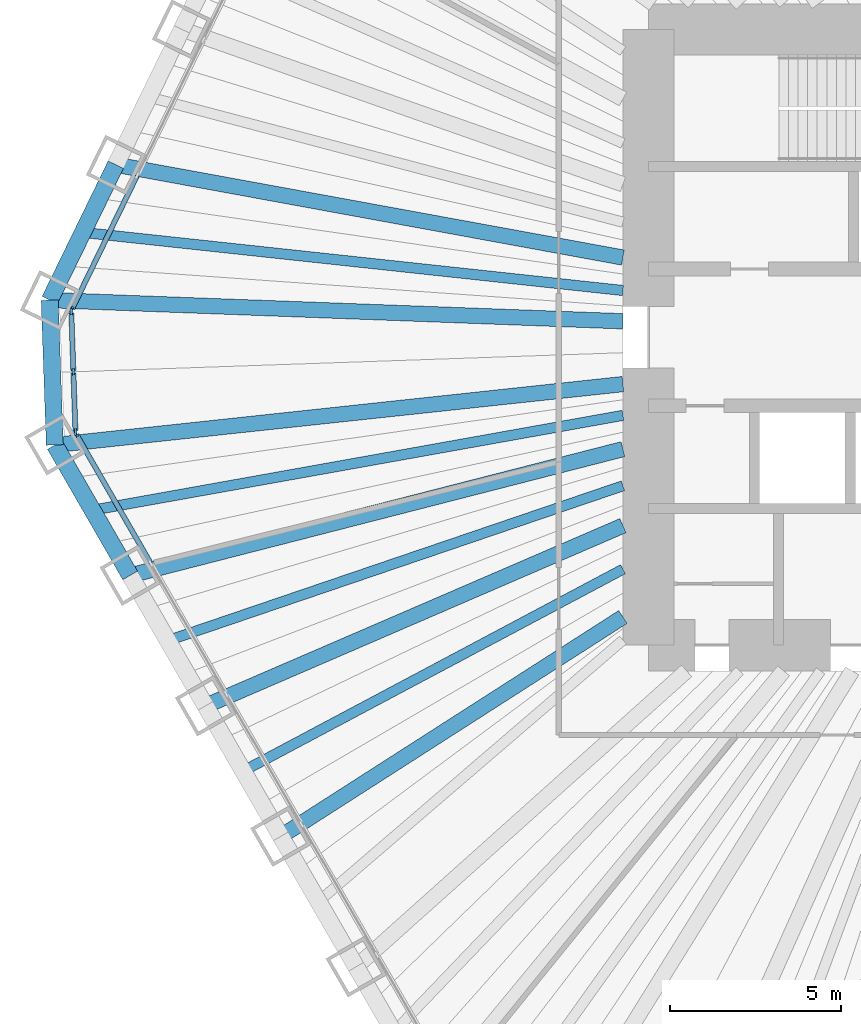
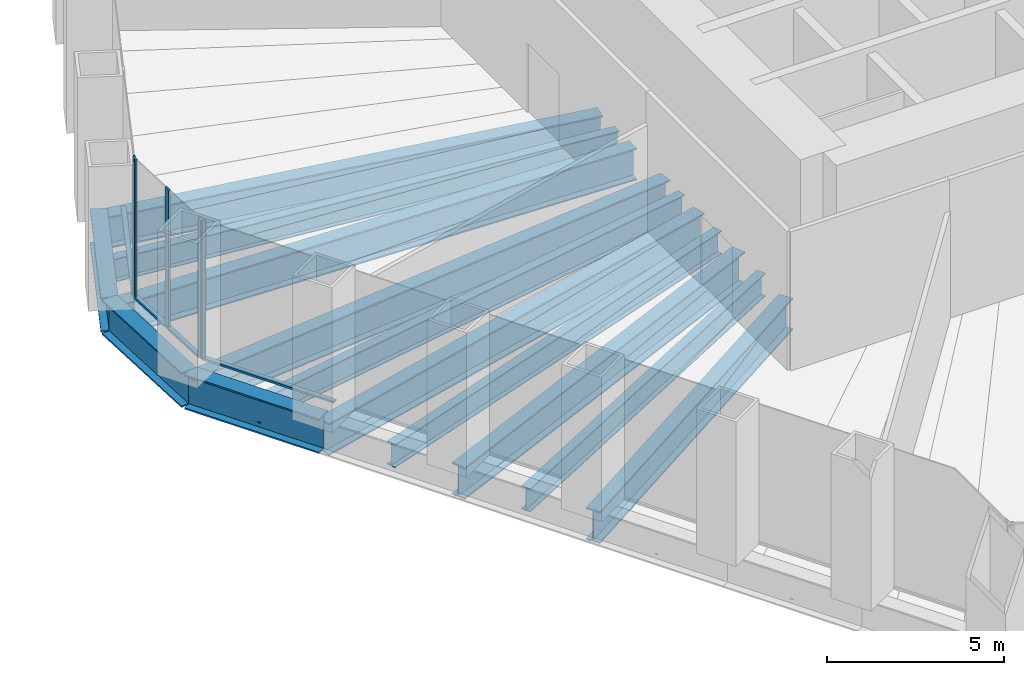
# One storey, part 3 of 13: 13 beams, 9 members, 3 elements without a shape of their own.
"""IFC4 building model written with IfcOpenShell, lengths in metres."""

from ifc_helpers import new_model, si_unit, direction, frame, origin, origin_2d, place, context, subcontext, project, spatial, rectangle, i_section, extrude, material, material_profile, profile_set, type_object, element, aggregate, save


model = new_model("IFC4")

# Units and contexts
model_context = context("Model", 3, precision=1e-05, world=origin(), true_north=direction((0.0, 1.0)))
body_context = subcontext(model_context, "Body", "Model", "MODEL_VIEW")
ifc_project = project(units=[si_unit("LENGTHUNIT", "METRE"), si_unit("AREAUNIT", "SQUARE_METRE"), si_unit("VOLUMEUNIT", "CUBIC_METRE"), si_unit("PLANEANGLEUNIT", "RADIAN"), si_unit("MASSUNIT", "GRAM", prefix="KILO")], contexts=[model_context])

# Site, building, storey
site_placement = place(None, origin())
site = spatial("IfcSite", under=ifc_project, at=site_placement, CompositionType="ELEMENT")
building_placement = place(site_placement, origin())
building = spatial("IfcBuilding", under=site, at=building_placement, Name="Qingtian Harvest Tower", CompositionType="ELEMENT")
storey_placement = place(building_placement, frame((0.0, 0.0, 77.0)))
storey = spatial("IfcBuildingStorey", under=building, at=storey_placement, Name="L15", CompositionType="ELEMENT", Elevation=77.0)

# Beams
ifc_material_1 = material(Name="Steel SM570MC", Category="steel")
ifc_material_profile_1 = material_profile(ifc_material_1, i_section(OverallWidth=0.449951171875, OverallDepth=1.10009765625, WebThickness=0.02197265625, FlangeThickness=0.044921875, at=origin_2d()), Name="H1100x450x22x45")
ifc_profile_set_1 = profile_set([ifc_material_profile_1], Name="Steel SM570MC")
beam_type_1 = type_object("IfcBeamType", Name="Corner floor beam FB8 H1100x450x22x45", PredefinedType="BEAM", material=ifc_profile_set_1)
beam_1_placement = place(storey_placement, frame((-29.36083984375, -3.145751953125, -0.75), z_axis=(0.994308822197, 0.106536219669, 0.0), x_axis=(-0.106536219669, 0.994308822197, 0.0)))
element("IfcBeam", 1, at=beam_1_placement, inside=storey, type_object=beam_type_1, Name="Floor beam FB8 SW6", PredefinedType="BEAM", context=body_context, shape_type="SweptSolid", body=[
    extrude(i_section(OverallWidth=0.449951171875, OverallDepth=1.10009765625, WebThickness=0.02197265625, FlangeThickness=0.044921875, at=origin_2d()), origin(), (0.0, 0.0, 1.0), 16.705810546875),
])
beam_2_placement = place(storey_placement, frame((-29.5087890625, 1.08984375, -0.75), z_axis=(0.999318796571, -0.036904509488, 0.0), x_axis=(0.036904509488, 0.999318796571, 0.0)))
element("IfcBeam", 2, at=beam_2_placement, inside=storey, type_object=beam_type_1, Name="Floor beam FB8 NW0", PredefinedType="BEAM", context=body_context, shape_type="SweptSolid", body=[
    extrude(i_section(OverallWidth=0.449951171875, OverallDepth=1.10009765625, WebThickness=0.02197265625, FlangeThickness=0.044921875, at=origin_2d()), origin(), (0.0, 0.0, 1.0), 16.770263671875),
])
ifc_material_2 = material(Name="Steel SM570MC", Category="steel")
ifc_material_profile_2 = material_profile(ifc_material_2, i_section(OverallWidth=0.449951171875, OverallDepth=1.10009765625, WebThickness=0.02197265625, FlangeThickness=0.044921875, at=origin_2d()), Name="H1100x450x22x45")
ifc_profile_set_2 = profile_set([ifc_material_profile_2], Name="Steel SM570MC")
beam_type_2 = type_object("IfcBeamType", Name="Floor beam FB1 H1100x450x22x45", PredefinedType="BEAM", material=ifc_profile_set_2)
beam_3_placement = place(storey_placement, frame((-22.75390625, -14.589111328125, -0.75), z_axis=(0.841829353865, 0.539743771591, 0.0), x_axis=(-0.539743771591, 0.841829353865, 0.0)))
element("IfcBeam", 3, at=beam_3_placement, inside=storey, type_object=beam_type_2, Name="Floor beam FB1 SW3", PredefinedType="BEAM", context=body_context, shape_type="SweptSolid", body=[
    extrude(i_section(OverallWidth=0.449951171875, OverallDepth=1.10009765625, WebThickness=0.02197265625, FlangeThickness=0.044921875, at=origin_2d()), origin(), (0.0, 0.0, 1.0), 11.883544921875),
])
beam_4_placement = place(storey_placement, frame((-24.9560546875, -10.774658203125, -0.75), z_axis=(0.918083617325, 0.396386770213, 0.0), x_axis=(-0.396386770213, 0.918083617325, 0.0)))
element("IfcBeam", 4, at=beam_4_placement, inside=storey, type_object=beam_type_2, Name="Floor beam FB1 SW4", PredefinedType="BEAM", context=body_context, shape_type="SweptSolid", body=[
    extrude(i_section(OverallWidth=0.449951171875, OverallDepth=1.10009765625, WebThickness=0.02197265625, FlangeThickness=0.044921875, at=origin_2d()), origin(), (0.0, 0.0, 1.0), 13.295166015625),
])
beam_5_placement = place(storey_placement, frame((-27.158447265625, -6.960205078125, -0.75), z_axis=(0.968693729942, 0.248258851947, 0.0), x_axis=(-0.248258851947, 0.968693729942, 0.0)))
element("IfcBeam", 5, at=beam_5_placement, inside=storey, type_object=beam_type_2, Name="Floor beam FB1 SW5", PredefinedType="BEAM", context=body_context, shape_type="SweptSolid", body=[
    extrude(i_section(OverallWidth=0.449951171875, OverallDepth=1.10009765625, WebThickness=0.02197265625, FlangeThickness=0.044921875, at=origin_2d()), origin(), (0.0, 0.0, 1.0), 14.8740234375),
])
beam_6_placement = place(storey_placement, frame((-27.577880859375, 5.048828125, -0.75), z_axis=(0.98365177106, -0.180081074215, 0.0), x_axis=(0.180081074215, 0.98365177106, 0.0)))
element("IfcBeam", 6, at=beam_6_placement, inside=storey, type_object=beam_type_2, Name="Floor beam FB1 NW1", PredefinedType="BEAM", context=body_context, shape_type="SweptSolid", body=[
    extrude(i_section(OverallWidth=0.449951171875, OverallDepth=1.10009765625, WebThickness=0.02197265625, FlangeThickness=0.044921875, at=origin_2d()), origin(), (0.0, 0.0, 1.0), 15.07421875),
])
ifc_material_3 = material(Name="Steel SN490B", Category="steel")
ifc_material_profile_3 = material_profile(ifc_material_3, i_section(OverallWidth=0.300048828125, OverallDepth=0.800048828125, WebThickness=0.013916015625, FlangeThickness=0.02587890625, at=origin_2d()), Name="H800x300x14x26")
ifc_profile_set_3 = profile_set([ifc_material_profile_3], Name="Steel SN490B")
beam_type_3 = type_object("IfcBeamType", Name="Floor joist J1 H800x300x14x26", PredefinedType="JOIST", material=ifc_profile_set_3)
beam_7_placement = place(storey_placement, frame((-23.85498046875, -12.681884765625, -0.60009765625), z_axis=(0.882982474604, 0.469405953885, 0.0), x_axis=(-0.469405953885, 0.882982474604, 0.0)))
element("IfcBeam", 7, at=beam_7_placement, inside=storey, type_object=beam_type_3, Name="Floor joist J1 SW3", PredefinedType="JOIST", context=body_context, shape_type="SweptSolid", body=[
    extrude(i_section(OverallWidth=0.300048828125, OverallDepth=0.800048828125, WebThickness=0.013916015625, FlangeThickness=0.02587890625, at=origin_2d()), origin(), (0.0, 0.0, 1.0), 12.57666015625),
])
beam_8_placement = place(storey_placement, frame((-26.057373046875, -8.867431640625, -0.60009765625), z_axis=(0.946684735425, 0.322161468387, 0.0), x_axis=(-0.322161468387, 0.946684735425, 0.0)))
element("IfcBeam", 8, at=beam_8_placement, inside=storey, type_object=beam_type_3, Name="Floor joist J1 SW4", PredefinedType="JOIST", context=body_context, shape_type="SweptSolid", body=[
    extrude(i_section(OverallWidth=0.300048828125, OverallDepth=0.800048828125, WebThickness=0.013916015625, FlangeThickness=0.02587890625, at=origin_2d()), origin(), (0.0, 0.0, 1.0), 14.056884765625),
])
beam_9_placement = place(storey_placement, frame((-28.259521484375, -5.052978515625, -0.60009765625), z_axis=(0.984387614034, 0.176014275943, 0.0), x_axis=(-0.176014275943, 0.984387614034, 0.0)))
element("IfcBeam", 9, at=beam_9_placement, inside=storey, type_object=beam_type_3, Name="Floor joist J1 SW5", PredefinedType="JOIST", context=body_context, shape_type="SweptSolid", body=[
    extrude(i_section(OverallWidth=0.300048828125, OverallDepth=0.800048828125, WebThickness=0.013916015625, FlangeThickness=0.02587890625, at=origin_2d()), origin(), (0.0, 0.0, 1.0), 15.755615234375),
])
beam_10_placement = place(storey_placement, frame((-28.543212890625, 3.0693359375, -0.60009765625), z_axis=(0.994268320665, -0.106913546948, 0.0), x_axis=(0.106913546948, 0.994268320665, 0.0)))
element("IfcBeam", 10, at=beam_10_placement, inside=storey, type_object=beam_type_3, Name="Floor joist J1 NW0", PredefinedType="JOIST", context=body_context, shape_type="SweptSolid", body=[
    extrude(i_section(OverallWidth=0.300048828125, OverallDepth=0.800048828125, WebThickness=0.013916015625, FlangeThickness=0.02587890625, at=origin_2d()), origin(), (0.0, 0.0, 1.0), 15.88427734375),
])

# Curtain wall, member
ifc_material_4 = material(Name="Bronze-anodised aluminium curtain wall", Category="aluminium")
curtain_wall_type = type_object("IfcCurtainWallType", Name="Curtain wall CW2 farm reception", PredefinedType="USERDEFINED", material=ifc_material_4)
curtain_wall_1_placement = place(storey_placement, origin())
curtain_wall_1 = element("IfcCurtainWall", 11, at=curtain_wall_1_placement, inside=storey, type_object=curtain_wall_type, Name="Curtain wall CW2 L15 SW0-5", ObjectType="RECESSED CURTAIN WALL", PredefinedType="USERDEFINED")
ifc_material_5 = material(Name="Bronze-anodised aluminium mullion", Category="aluminium")
ifc_material_profile_4 = material_profile(ifc_material_5, rectangle(XDim=0.06494140625, YDim=0.199951171875, at=origin_2d()), Name="AL 65x200")
ifc_profile_set_4 = profile_set([ifc_material_profile_4], Name="Bronze-anodised aluminium mullion")
member_type_1 = type_object("IfcMemberType", Name="Mullion CWM 65x200", PredefinedType="MULLION", material=ifc_profile_set_4)
member_1_placement = place(storey_placement, frame((-28.73828125, -2.82373046875, 0.0), z_axis=(0.0, 0.0, 1.0), x_axis=(-0.866025403784, -0.5, 0.0)))
member_1 = element("IfcMember", 12, at=member_1_placement, type_object=member_type_1, Name="CW2 mullion 7", PredefinedType="MULLION", context=body_context, shape_type="SweptSolid", body=[
    extrude(rectangle(XDim=0.06494140625, YDim=0.199951171875, at=origin_2d()), origin(), (0.0, 0.0, 1.0), 4.800048828125),
])

# Curtain wall, members
curtain_wall_2_placement = place(storey_placement, origin())
curtain_wall_2 = element("IfcCurtainWall", 13, at=curtain_wall_2_placement, inside=storey, type_object=curtain_wall_type, Name="Curtain wall CW2 L15 SWC", ObjectType="RECESSED CURTAIN WALL", PredefinedType="USERDEFINED")
member_2_placement = place(storey_placement, frame((-28.755615234375, -2.76318359375, 0.0), z_axis=(0.0, 0.0, 1.0), x_axis=(-0.999390827019, -0.034899496703, 0.0)))
member_2 = element("IfcMember", 14, at=member_2_placement, type_object=member_type_1, Name="CW2 mullion 1", PredefinedType="MULLION", context=body_context, shape_type="SweptSolid", body=[
    extrude(rectangle(XDim=0.06494140625, YDim=0.199951171875, at=origin_2d()), origin(), (0.0, 0.0, 1.0), 4.800048828125),
])
member_3_placement = place(storey_placement, frame((-28.817138671875, -1.00634765625, 0.0), z_axis=(0.0, 0.0, 1.0), x_axis=(-0.999390827019, -0.034899496703, 0.0)))
member_3 = element("IfcMember", 15, at=member_3_placement, type_object=member_type_1, Name="CW2 mullion 2", PredefinedType="MULLION", context=body_context, shape_type="SweptSolid", body=[
    extrude(rectangle(XDim=0.06494140625, YDim=0.199951171875, at=origin_2d()), origin(), (0.0, 0.0, 1.0), 4.800048828125),
])
member_4_placement = place(storey_placement, frame((-28.87841796875, 0.75048828125, 0.0), z_axis=(0.0, 0.0, 1.0), x_axis=(-0.999390827019, -0.034899496703, 0.0)))
member_4 = element("IfcMember", 16, at=member_4_placement, type_object=member_type_1, Name="CW2 mullion 3", PredefinedType="MULLION", context=body_context, shape_type="SweptSolid", body=[
    extrude(rectangle(XDim=0.06494140625, YDim=0.199951171875, at=origin_2d()), origin(), (0.0, 0.0, 1.0), 4.800048828125),
])

# Curtain wall, member
curtain_wall_3_placement = place(storey_placement, origin())
curtain_wall_3 = element("IfcCurtainWall", 17, at=curtain_wall_3_placement, inside=storey, type_object=curtain_wall_type, Name="Curtain wall CW2 L15 NW0-5", ObjectType="RECESSED CURTAIN WALL", PredefinedType="USERDEFINED")
member_5_placement = place(storey_placement, frame((-28.865234375, 0.812255859375, 0.0), z_axis=(0.0, 0.0, 1.0), x_axis=(-0.898794046299, 0.438371146789, 0.0)))
member_5 = element("IfcMember", 18, at=member_5_placement, type_object=member_type_1, Name="CW2 mullion 1", PredefinedType="MULLION", context=body_context, shape_type="SweptSolid", body=[
    extrude(rectangle(XDim=0.06494140625, YDim=0.199951171875, at=origin_2d()), origin(), (0.0, 0.0, 1.0), 4.800048828125),
])

# Beams
ifc_material_6 = material(Name="Steel SM570MC", Category="steel")
ifc_material_profile_5 = material_profile(ifc_material_6, i_section(OverallWidth=0.5, OverallDepth=1.199951171875, WebThickness=0.02490234375, FlangeThickness=0.050048828125, at=origin_2d()), Name="H1200x500x25x50")
ifc_profile_set_5 = profile_set([ifc_material_profile_5], Name="Steel SM570MC")
beam_type_4 = type_object("IfcBeamType", Name="Spandrel beam SB1 H1200x500x25x50", PredefinedType="SPANDREL", material=ifc_profile_set_5)
beam_11_placement = place(storey_placement, frame((-27.158447265625, -6.960205078125, -0.60009765625), z_axis=(-0.50001992892, 0.866013897511, 0.0), x_axis=(-0.866013897511, -0.50001992892, 0.0)))
element("IfcBeam", 19, at=beam_11_placement, inside=storey, type_object=beam_type_4, Name="Spandrel SB1 SW5", PredefinedType="SPANDREL", context=body_context, shape_type="SweptSolid", body=[
    extrude(i_section(OverallWidth=0.5, OverallDepth=1.199951171875, WebThickness=0.02490234375, FlangeThickness=0.050048828125, at=origin_2d()), origin(), (0.0, 0.0, 1.0), 4.404541015625),
])
beam_12_placement = place(storey_placement, frame((-29.36083984375, -3.145751953125, -0.60009765625), z_axis=(-0.034908677553, 0.999390506375, 0.0), x_axis=(-0.999390506375, -0.034908677553, 0.0)))
element("IfcBeam", 20, at=beam_12_placement, inside=storey, type_object=beam_type_4, Name="Spandrel SB1 SWC", PredefinedType="SPANDREL", context=body_context, shape_type="SweptSolid", body=[
    extrude(i_section(OverallWidth=0.5, OverallDepth=1.199951171875, WebThickness=0.02490234375, FlangeThickness=0.050048828125, at=origin_2d()), origin(), (0.0, 0.0, 1.0), 4.23828125),
])
beam_13_placement = place(storey_placement, frame((-29.5087890625, 1.08984375, -0.60009765625), z_axis=(0.438367938366, 0.898795611145, 0.0), x_axis=(-0.898795611145, 0.438367938366, 0.0)))
element("IfcBeam", 21, at=beam_13_placement, inside=storey, type_object=beam_type_4, Name="Spandrel SB1 NW0", PredefinedType="SPANDREL", context=body_context, shape_type="SweptSolid", body=[
    extrude(i_section(OverallWidth=0.5, OverallDepth=1.199951171875, WebThickness=0.02490234375, FlangeThickness=0.050048828125, at=origin_2d()), origin(), (0.0, 0.0, 1.0), 4.40478515625),
])

# Member
ifc_material_7 = material(Name="Bronze-anodised aluminium transom", Category="aluminium")
ifc_material_profile_6 = material_profile(ifc_material_7, rectangle(XDim=0.14990234375, YDim=0.06494140625, at=origin_2d()), Name="AL 65x150")
ifc_profile_set_6 = profile_set([ifc_material_profile_6], Name="Bronze-anodised aluminium transom")
member_type_2 = type_object("IfcMemberType", Name="Transom CWT 65x150", PredefinedType="USERDEFINED", material=ifc_profile_set_6)
member_6_placement = place(storey_placement, frame((-26.568603515625, -6.58203125, 0.032470703125), z_axis=(-0.499967798808, 0.866043994353, 0.0), x_axis=(-0.866043994353, -0.499967798808, 0.0)))
member_6 = element("IfcMember", 22, at=member_6_placement, type_object=member_type_2, Name="CW2 transom 6.1", ObjectType="TRANSOM", PredefinedType="USERDEFINED", context=body_context, shape_type="SweptSolid", body=[
    extrude(rectangle(XDim=0.14990234375, YDim=0.06494140625, at=origin_2d()), origin(), (0.0, 0.0, 1.0), 4.306884765625),
])

aggregate(curtain_wall_1, [member_1, member_6])

member_7_placement = place(storey_placement, frame((-28.7568359375, -2.730712890625, 0.032470703125), z_axis=(-0.034899362377, 0.99939083171, 0.0), x_axis=(-0.99939083171, -0.034899362377, 0.0)))
member_7 = element("IfcMember", 23, at=member_7_placement, type_object=member_type_2, Name="CW2 transom 1.1", ObjectType="TRANSOM", PredefinedType="USERDEFINED", context=body_context, shape_type="SweptSolid", body=[
    extrude(rectangle(XDim=0.14990234375, YDim=0.06494140625, at=origin_2d()), origin(), (0.0, 0.0, 1.0), 1.69287109375),
])

member_8_placement = place(storey_placement, frame((-28.818115234375, -0.973876953125, 0.032470703125), z_axis=(-0.034899362377, 0.99939083171, 0.0), x_axis=(-0.99939083171, -0.034899362377, 0.0)))
member_8 = element("IfcMember", 24, at=member_8_placement, type_object=member_type_2, Name="CW2 transom 2.1", ObjectType="TRANSOM", PredefinedType="USERDEFINED", context=body_context, shape_type="SweptSolid", body=[
    extrude(rectangle(XDim=0.14990234375, YDim=0.06494140625, at=origin_2d()), origin(), (0.0, 0.0, 1.0), 1.69287109375),
])

aggregate(curtain_wall_2, [member_2, member_3, member_4, member_7, member_8])

member_9_placement = place(storey_placement, frame((-28.85107421875, 0.841552734375, 0.032470703125), z_axis=(0.438394595167, 0.898782609383, 0.0), x_axis=(-0.898782609383, 0.438394595167, 0.0)))
member_9 = element("IfcMember", 25, at=member_9_placement, type_object=member_type_2, Name="CW2 transom 1.1", ObjectType="TRANSOM", PredefinedType="USERDEFINED", context=body_context, shape_type="SweptSolid", body=[
    extrude(rectangle(XDim=0.14990234375, YDim=0.06494140625, at=origin_2d()), origin(), (0.0, 0.0, 1.0), 4.30712890625),
])

aggregate(curtain_wall_3, [member_5, member_9])

save(model, "model.ifc")
